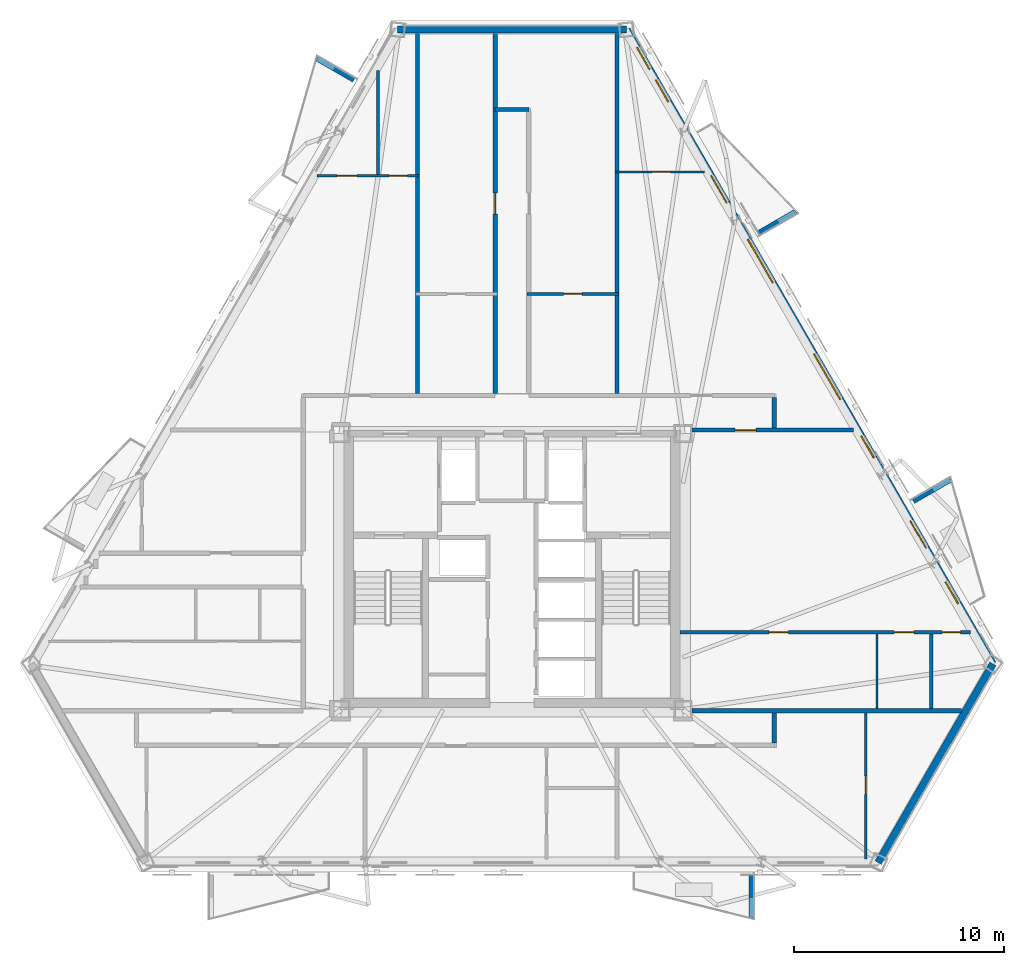
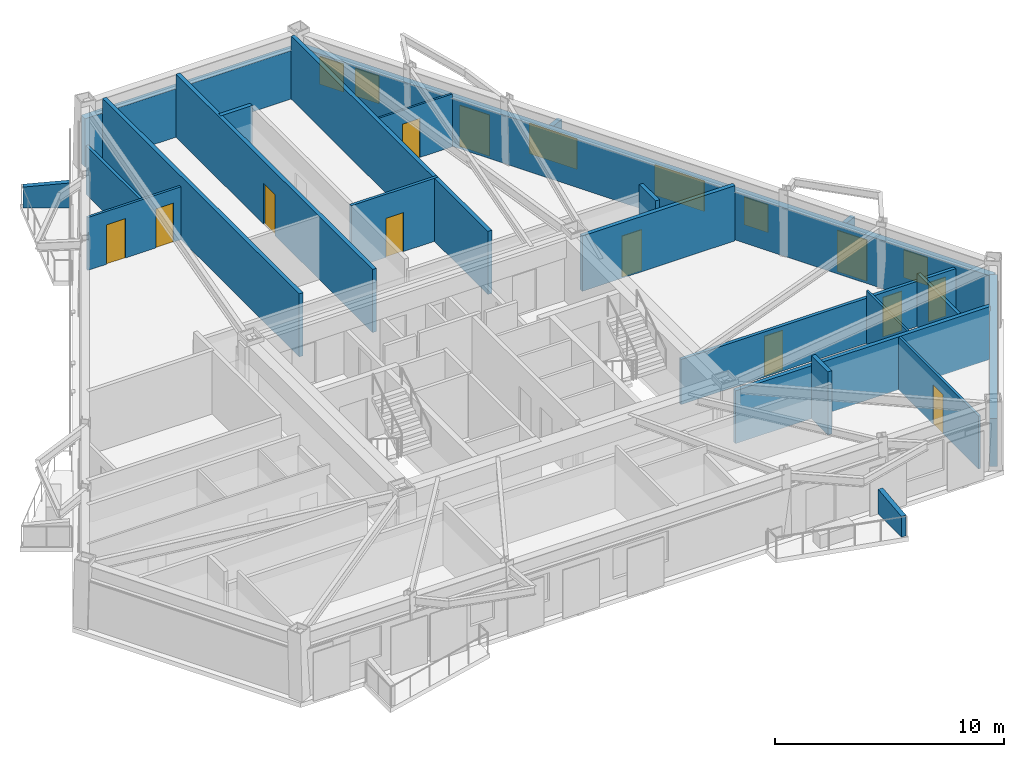
# One storey, part 5 of 9: 23 walls, 12 doors, 6 windows, 18 openings.
"""IFC4 building model written with IfcOpenShell, lengths in metres."""

from ifc_helpers import new_model, si_unit, direction, frame, frame_2d, origin, place, context, subcontext, project, spatial, polyline, rectangle, outline, extrude, material, layer, layer_set, type_object, element, fill, save


model = new_model("IFC4")

# Units and contexts
model_context = context("Model", 3, precision=1e-05, world=origin(), true_north=direction((0.0, 1.0)))
body_context = subcontext(model_context, "Body", "Model", "MODEL_VIEW")
ifc_project = project(units=[si_unit("LENGTHUNIT", "METRE"), si_unit("AREAUNIT", "SQUARE_METRE"), si_unit("VOLUMEUNIT", "CUBIC_METRE"), si_unit("PLANEANGLEUNIT", "RADIAN"), si_unit("MASSUNIT", "GRAM", prefix="KILO")], contexts=[model_context])

# Site, building, storey
site_placement = place(None, origin())
site = spatial("IfcSite", under=ifc_project, at=site_placement, CompositionType="ELEMENT")
building_placement = place(site_placement, origin())
building = spatial("IfcBuilding", under=site, at=building_placement, Name="Oramaril Tower", CompositionType="ELEMENT")
storey_placement = place(building_placement, frame((0.0, 0.0, 119.39990234375)))
storey = spatial("IfcBuildingStorey", under=building, at=storey_placement, Name="L31", CompositionType="ELEMENT", Elevation=119.39990234375)

# Wall
ifc_material_1 = material(Name="Warm Cream Limestone", Category="masonry")
ifc_layer_1 = layer(ifc_material_1, 0.340087890625)
ifc_layer_set_1 = layer_set([ifc_layer_1], Name="WT-EXT34")
wall_type_1 = type_object("IfcWallType", Name="WT-EXT34", PredefinedType="SOLIDWALL", material=ifc_layer_set_1)
wall_1_placement = place(storey_placement, frame((54.95068359375, 3.712890625, 0.0), z_axis=(0.0, 0.0, 1.0), x_axis=(0.49998922304, 0.866031625776, 0.0)))
element("IfcWall", 1, at=wall_1_placement, inside=storey, type_object=wall_type_1, Name="L31 Tower Limestone Facade Wall 3M", PredefinedType="SOLIDWALL", context=body_context, shape_type="SweptSolid", body=[
    extrude(rectangle(XDim=10.932373046875, YDim=0.340087890625, at=frame_2d((5.46630859375, 0.0))), origin(), (0.0, 0.0, 1.0), 2.578125),
])

# Wall, openings, doors, windows
wall_2_placement = place(storey_placement, frame((60.416748046875, 13.1806640625, 0.0), z_axis=(0.0, 0.0, 1.0), x_axis=(-0.499998569178, 0.866026229868, 0.0)))
wall_2 = element("IfcWall", 2, at=wall_2_placement, inside=storey, type_object=wall_type_1, Name="L31 Tower Limestone Facade Wall 4M", PredefinedType="SOLIDWALL", context=body_context, shape_type="SweptSolid", body=[
    extrude(rectangle(XDim=34.9013671875, YDim=0.340087890625, at=frame_2d((17.45068359375, 0.0))), origin(), (0.0, 0.0, 1.0), 2.578125),
])
opening_1_placement = place(wall_2_placement, frame((6.369384765625, 0.0, 0.0)))
opening_1 = element("IfcOpeningElement", 3, at=opening_1_placement, cuts=wall_2, Name="Opening D-L31-BAL-NE1", PredefinedType="OPENING", context=body_context, shape_type="SweptSolid", body=[
    extrude(rectangle(XDim=1.5, YDim=2.199951171875, at=frame_2d((0.75, 1.10009765625))), frame((0.0, 0.169921875, 0.0), z_axis=(0.0, -1.0, 0.0), x_axis=(1.0, 0.0, 0.0)), (0.0, 0.0, 1.0), 0.340087890625),
])
opening_2_placement = place(wall_2_placement, frame((25.366943359375, 0.0, 0.0)))
opening_2 = element("IfcOpeningElement", 4, at=opening_2_placement, cuts=wall_2, Name="Opening D-L31-BAL-NE2", PredefinedType="OPENING", context=body_context, shape_type="SweptSolid", body=[
    extrude(rectangle(XDim=1.5, YDim=2.199951171875, at=frame_2d((0.75, 1.10009765625))), frame((0.0, 0.169921875, 0.0), z_axis=(0.0, -1.0, 0.0), x_axis=(1.0, 0.0, 0.0)), (0.0, 0.0, 1.0), 0.340087890625),
])
opening_3_placement = place(wall_2_placement, frame((3.309326171875, 0.0, 0.85009765625)))
opening_3 = element("IfcOpeningElement", 5, at=opening_3_placement, cuts=wall_2, Name="Opening WN-09", PredefinedType="OPENING", context=body_context, shape_type="SweptSolid", body=[
    extrude(rectangle(XDim=1.199951171875, YDim=1.47998046875, at=frame_2d((0.60009765625, 0.739990234375))), frame((0.0, 0.169921875, 0.0), z_axis=(0.0, -1.0, 0.0), x_axis=(1.0, 0.0, 0.0)), (0.0, 0.0, 1.0), 0.340087890625),
])
opening_4_placement = place(wall_2_placement, frame((11.345947265625, 0.0, 0.85009765625)))
opening_4 = element("IfcOpeningElement", 6, at=opening_4_placement, cuts=wall_2, Name="Opening WN-09", PredefinedType="OPENING", context=body_context, shape_type="SweptSolid", body=[
    extrude(rectangle(XDim=1.199951171875, YDim=1.47998046875, at=frame_2d((0.60009765625, 0.739990234375))), frame((0.0, 0.169921875, 0.0), z_axis=(0.0, -1.0, 0.0), x_axis=(1.0, 0.0, 0.0)), (0.0, 0.0, 1.0), 0.340087890625),
])
opening_5_placement = place(wall_2_placement, frame((32.71875, 0.0, 0.85009765625)))
opening_5 = element("IfcOpeningElement", 7, at=opening_5_placement, cuts=wall_2, Name="Opening WN-09", PredefinedType="OPENING", context=body_context, shape_type="SweptSolid", body=[
    extrude(rectangle(XDim=1.199951171875, YDim=1.47998046875, at=frame_2d((0.60009765625, 0.739990234375))), frame((0.0, 0.169921875, 0.0), z_axis=(0.0, -1.0, 0.0), x_axis=(1.0, 0.0, 0.0)), (0.0, 0.0, 1.0), 0.340087890625),
])
opening_6_placement = place(wall_2_placement, frame((14.54931640625, 0.0, 0.85009765625)))
opening_6 = element("IfcOpeningElement", 8, at=opening_6_placement, cuts=wall_2, Name="Opening WN-11", PredefinedType="OPENING", context=body_context, shape_type="SweptSolid", body=[
    extrude(rectangle(XDim=2.5, YDim=1.617919921875, at=frame_2d((1.25, 0.80908203125))), frame((0.0, 0.169921875, 0.0), z_axis=(0.0, -1.0, 0.0), x_axis=(1.0, 0.0, 0.0)), (0.0, 0.0, 1.0), 0.340087890625),
])
opening_7_placement = place(wall_2_placement, frame((20.966552734375, 0.0, 0.85009765625)))
opening_7 = element("IfcOpeningElement", 9, at=opening_7_placement, cuts=wall_2, Name="Opening WN-03", PredefinedType="OPENING", context=body_context, shape_type="SweptSolid", body=[
    extrude(rectangle(XDim=2.39990234375, YDim=1.617919921875, at=frame_2d((1.199951171875, 0.80908203125))), frame((0.0, 0.169921875, 0.0), z_axis=(0.0, -1.0, 0.0), x_axis=(1.0, 0.0, 0.0)), (0.0, 0.0, 1.0), 0.340087890625),
])
opening_8_placement = place(wall_2_placement, frame((30.926513671875, 0.0, 0.85009765625)))
opening_8 = element("IfcOpeningElement", 10, at=opening_8_placement, cuts=wall_2, Name="Opening WN-09", PredefinedType="OPENING", context=body_context, shape_type="SweptSolid", body=[
    extrude(rectangle(XDim=1.199951171875, YDim=1.47998046875, at=frame_2d((0.60009765625, 0.739990234375))), frame((0.0, 0.169921875, 0.0), z_axis=(0.0, -1.0, 0.0), x_axis=(1.0, 0.0, 0.0)), (0.0, 0.0, 1.0), 0.340087890625),
])
ifc_material_2 = material(Name="Anodised Aluminium 6063-T6", Category="aluminium")
door_type_1 = type_object("IfcDoorType", Name="DT-BAL", OperationType="NOTDEFINED", PredefinedType="DOOR", material=ifc_material_2)
door_1_placement = place(opening_1_placement, origin())
door_1 = element("IfcDoor", 11, at=door_1_placement, inside=storey, type_object=door_type_1, Name="L31 Balcony Glazed Door L31-BAL-NE1", OperationType="SINGLE_SWING_RIGHT", OverallHeight=2.199951171875, OverallWidth=1.5, PredefinedType="DOOR", context=body_context, shape_type="SweptSolid", body=[
    extrude(rectangle(XDim=1.5, YDim=2.199951171875, at=frame_2d((0.75, 1.10009765625))), frame((0.0, 0.02490234375, 0.0), z_axis=(0.0, -1.0, 0.0), x_axis=(1.0, 0.0, 0.0)), (0.0, 0.0, 1.0), 0.050048828125),
])
fill(opening_1, door_1)
door_2_placement = place(opening_2_placement, origin())
door_2 = element("IfcDoor", 12, at=door_2_placement, inside=storey, type_object=door_type_1, Name="L31 Balcony Glazed Door L31-BAL-NE2", OperationType="SINGLE_SWING_LEFT", OverallHeight=2.199951171875, OverallWidth=1.5, PredefinedType="DOOR", context=body_context, shape_type="SweptSolid", body=[
    extrude(rectangle(XDim=1.5, YDim=2.199951171875, at=frame_2d((0.75, 1.10009765625))), frame((0.0, 0.02490234375, 0.0), z_axis=(0.0, -1.0, 0.0), x_axis=(1.0, 0.0, 0.0)), (0.0, 0.0, 1.0), 0.050048828125),
])
fill(opening_2, door_2)
ifc_material_3 = material(Name="Coastal Low-E Insulated Glass", Category="glass")
window_type_1 = type_object("IfcWindowType", Name="WNT-03", PartitioningType="SINGLE_PANEL", PredefinedType="WINDOW", material=ifc_material_3)
window_1_placement = place(opening_7_placement, origin())
window_1 = element("IfcWindow", 13, at=window_1_placement, inside=storey, type_object=window_type_1, Name="L31 Chicago Bay Window WN-03", OverallHeight=1.617919921875, OverallWidth=2.39990234375, PartitioningType="SINGLE_PANEL", PredefinedType="WINDOW", context=body_context, shape_type="SweptSolid", body=[
    extrude(rectangle(XDim=2.39990234375, YDim=1.617919921875, at=frame_2d((1.199951171875, 0.80908203125))), frame((0.0, 0.030029296875, 0.0), z_axis=(0.0, -1.0, 0.0), x_axis=(1.0, 0.0, 0.0)), (0.0, 0.0, 1.0), 0.06005859375),
])
fill(opening_7, window_1)
ifc_material_4 = material(Name="Coastal Low-E Insulated Glass", Category="glass")
window_type_2 = type_object("IfcWindowType", Name="WNT-09", PartitioningType="SINGLE_PANEL", PredefinedType="WINDOW", material=ifc_material_4)
window_2_placement = place(opening_3_placement, origin())
window_2 = element("IfcWindow", 14, at=window_2_placement, inside=storey, type_object=window_type_2, Name="L31 Chicago Bay Window WN-09", OverallHeight=1.47998046875, OverallWidth=1.199951171875, PartitioningType="SINGLE_PANEL", PredefinedType="WINDOW", context=body_context, shape_type="SweptSolid", body=[
    extrude(rectangle(XDim=1.199951171875, YDim=1.47998046875, at=frame_2d((0.60009765625, 0.739990234375))), frame((0.0, 0.030029296875, 0.0), z_axis=(0.0, -1.0, 0.0), x_axis=(1.0, 0.0, 0.0)), (0.0, 0.0, 1.0), 0.06005859375),
])
fill(opening_3, window_2)
window_3_placement = place(opening_4_placement, origin())
window_3 = element("IfcWindow", 15, at=window_3_placement, inside=storey, type_object=window_type_2, Name="L31 Chicago Bay Window WN-09", OverallHeight=1.47998046875, OverallWidth=1.199951171875, PartitioningType="SINGLE_PANEL", PredefinedType="WINDOW", context=body_context, shape_type="SweptSolid", body=[
    extrude(rectangle(XDim=1.199951171875, YDim=1.47998046875, at=frame_2d((0.60009765625, 0.739990234375))), frame((0.0, 0.030029296875, 0.0), z_axis=(0.0, -1.0, 0.0), x_axis=(1.0, 0.0, 0.0)), (0.0, 0.0, 1.0), 0.06005859375),
])
fill(opening_4, window_3)
window_4_placement = place(opening_5_placement, origin())
window_4 = element("IfcWindow", 16, at=window_4_placement, inside=storey, type_object=window_type_2, Name="L31 Chicago Bay Window WN-09", OverallHeight=1.47998046875, OverallWidth=1.199951171875, PartitioningType="SINGLE_PANEL", PredefinedType="WINDOW", context=body_context, shape_type="SweptSolid", body=[
    extrude(rectangle(XDim=1.199951171875, YDim=1.47998046875, at=frame_2d((0.60009765625, 0.739990234375))), frame((0.0, 0.030029296875, 0.0), z_axis=(0.0, -1.0, 0.0), x_axis=(1.0, 0.0, 0.0)), (0.0, 0.0, 1.0), 0.06005859375),
])
fill(opening_5, window_4)
window_5_placement = place(opening_8_placement, origin())
window_5 = element("IfcWindow", 17, at=window_5_placement, inside=storey, type_object=window_type_2, Name="L31 Chicago Bay Window WN-09", OverallHeight=1.47998046875, OverallWidth=1.199951171875, PartitioningType="SINGLE_PANEL", PredefinedType="WINDOW", context=body_context, shape_type="SweptSolid", body=[
    extrude(rectangle(XDim=1.199951171875, YDim=1.47998046875, at=frame_2d((0.60009765625, 0.739990234375))), frame((0.0, 0.030029296875, 0.0), z_axis=(0.0, -1.0, 0.0), x_axis=(1.0, 0.0, 0.0)), (0.0, 0.0, 1.0), 0.06005859375),
])
fill(opening_8, window_5)
ifc_material_5 = material(Name="Coastal Low-E Insulated Glass", Category="glass")
window_type_3 = type_object("IfcWindowType", Name="WNT-11", PartitioningType="SINGLE_PANEL", PredefinedType="WINDOW", material=ifc_material_5)
window_6_placement = place(opening_6_placement, origin())
window_6 = element("IfcWindow", 18, at=window_6_placement, inside=storey, type_object=window_type_3, Name="L31 Chicago Bay Window WN-11", OverallHeight=1.617919921875, OverallWidth=2.5, PartitioningType="SINGLE_PANEL", PredefinedType="WINDOW", context=body_context, shape_type="SweptSolid", body=[
    extrude(rectangle(XDim=2.5, YDim=1.617919921875, at=frame_2d((1.25, 0.80908203125))), frame((0.0, 0.030029296875, 0.0), z_axis=(0.0, -1.0, 0.0), x_axis=(1.0, 0.0, 0.0)), (0.0, 0.0, 1.0), 0.06005859375),
])
fill(opening_6, window_6)

# Walls
wall_3_placement = place(storey_placement, frame((42.966064453125, 43.40625, 0.0), z_axis=(0.0, 0.0, 1.0), x_axis=(-1.0, 0.0, 0.0)))
element("IfcWall", 19, at=wall_3_placement, inside=storey, type_object=wall_type_1, Name="L31 Tower Limestone Facade Wall 5M", PredefinedType="SOLIDWALL", context=body_context, shape_type="SweptSolid", body=[
    extrude(rectangle(XDim=10.93212890625, YDim=0.340087890625, at=frame_2d((5.466064453125, 0.0))), origin(), (0.0, 0.0, 1.0), 2.578125),
])
ifc_material_6 = material(Name="Concrete C40/50", Category="concrete")
ifc_layer_2 = layer(ifc_material_6, 0.22998046875)
ifc_layer_set_2 = layer_set([ifc_layer_2], Name="WT-PRP23")
wall_type_2 = type_object("IfcWallType", Name="WT-PRP23", PredefinedType="PARAPET", material=ifc_layer_set_2)
for number, where, z_axis, x_axis, name in (
    (20, (48.911376953125, 3.114990234375, 0.0), (0.0, 0.0, 1.0), (0.0, -1.0, 0.0), "L31 Trapezoidal Balcony Frame Cheek L31-BAL-S2-R"),
    (21, (56.632568359375, 20.931396484375, 0.0), (0.0, 0.0, 1.0), (0.866012356593, 0.500022597718, 0.0), "L31 Trapezoidal Balcony Frame Cheek L31-BAL-NE1-R"),
    (22, (49.248779296875, 33.720458984375, 0.0), (0.0, 0.0, 1.0), (0.866012356593, 0.500022597718, 0.0), "L31 Trapezoidal Balcony Frame Cheek L31-BAL-NE2-L"),
    (23, (29.958740234375, 41.008056640625, 0.0), (0.0, 0.0, 1.0), (-0.866012356593, 0.500022597718, 0.0), "L31 Trapezoidal Balcony Frame Cheek L31-BAL-NW1-L"),
):
    element("IfcWall", number, at=place(storey_placement, frame(where, z_axis=z_axis, x_axis=x_axis)), inside=storey, type_object=wall_type_2, Name=name, PredefinedType="PARAPET", context=body_context, shape_type="SweptSolid", body=[
        extrude(outline(polyline([(0.0, 0.0), (2.0419921875, 0.0), (2.0419921875, 1.10009765625), (0.0, 1.320068359375), (0.0, 0.0)])), frame((0.0, 0.114990234375, 0.0), z_axis=(0.0, -1.0, 0.0), x_axis=(1.0, 0.0, 0.0)), (0.0, 0.0, 1.0), 0.22998046875),
    ])

# Wall, opening, door
ifc_material_7 = material(Name="Acoustic Gypsum Board Partition")
ifc_layer_3 = layer(ifc_material_7, 0.10009765625)
ifc_layer_set_3 = layer_set([ifc_layer_3], Name="WT-PT10")
wall_type_3 = type_object("IfcWallType", Name="WT-PT10", PredefinedType="PARTITIONING", material=ifc_layer_set_3)
wall_4_placement = place(storey_placement, frame((42.41796875, 36.6298828125, 0.0), z_axis=(0.0, 0.0, 1.0), x_axis=(1.0, 0.0, 0.0)))
wall_4 = element("IfcWall", 24, at=wall_4_placement, inside=storey, type_object=wall_type_3, Name="L31 Interior Partition PT-10", PredefinedType="PARTITIONING", context=body_context, shape_type="SweptSolid", body=[
    extrude(rectangle(XDim=4.259521484375, YDim=0.10009765625, at=frame_2d((2.1298828125, 0.0))), origin(), (0.0, 0.0, 1.0), 2.814208984375),
])
opening_9_placement = place(wall_4_placement, frame((1.74560546875, 0.0, 0.0)))
opening_9 = element("IfcOpeningElement", 25, at=opening_9_placement, cuts=wall_4, Name="Opening D-L31-19", PredefinedType="OPENING", context=body_context, shape_type="SweptSolid", body=[
    extrude(rectangle(XDim=0.8798828125, YDim=2.080078125, at=frame_2d((0.43994140625, 1.0400390625))), frame((0.0, 0.050048828125, 0.0), z_axis=(0.0, -1.0, 0.0), x_axis=(1.0, 0.0, 0.0)), (0.0, 0.0, 1.0), 0.10009765625),
])
ifc_material_8 = material(Name="FSC Brazilian Freijo Hardwood", Category="wood")
door_type_2 = type_object("IfcDoorType", Name="DT-BATH", OperationType="NOTDEFINED", PredefinedType="DOOR", material=ifc_material_8)
door_3_placement = place(opening_9_placement, origin())
door_3 = element("IfcDoor", 26, at=door_3_placement, inside=storey, type_object=door_type_2, Name="L31 Flat L31-U10 Bathroom Door D-L31-19", OperationType="SINGLE_SWING_LEFT", OverallHeight=2.080078125, OverallWidth=0.8798828125, PredefinedType="DOOR", context=body_context, shape_type="SweptSolid", body=[
    extrude(rectangle(XDim=0.8798828125, YDim=2.080078125, at=frame_2d((0.43994140625, 1.0400390625))), frame((0.0, 0.02490234375, 0.0), z_axis=(0.0, -1.0, 0.0), x_axis=(1.0, 0.0, 0.0)), (0.0, 0.0, 1.0), 0.050048828125),
])
fill(opening_9, door_3)

# Wall
wall_5_placement = place(storey_placement, frame((54.889892578125, 11.053955078125, 0.0), z_axis=(0.0, 0.0, 1.0), x_axis=(0.0, 1.0, 0.0)))
element("IfcWall", 27, at=wall_5_placement, inside=storey, type_object=wall_type_3, Name="L31 Interior Partition PT-10", PredefinedType="PARTITIONING", context=body_context, shape_type="SweptSolid", body=[
    extrude(rectangle(XDim=3.552001953125, YDim=0.10009765625, at=frame_2d((1.77587890625, 0.0))), origin(), (0.0, 0.0, 1.0), 2.814208984375),
])

# Wall, openings, doors
ifc_material_9 = material(Name="Acoustic Gypsum Board Partition")
ifc_layer_4 = layer(ifc_material_9, 0.1201171875)
ifc_layer_set_4 = layer_set([ifc_layer_4], Name="WT-PT12")
wall_type_4 = type_object("IfcWallType", Name="WT-PT12", PredefinedType="PARTITIONING", material=ifc_layer_set_4)
wall_6_placement = place(storey_placement, frame((28.212890625, 36.43994140625, 0.0), z_axis=(0.0, 0.0, 1.0), x_axis=(1.0, 0.0, 0.0)))
wall_6 = element("IfcWall", 28, at=wall_6_placement, inside=storey, type_object=wall_type_4, Name="L31 Interior Partition PT-12", PredefinedType="PARTITIONING", context=body_context, shape_type="SweptSolid", body=[
    extrude(rectangle(XDim=4.837158203125, YDim=0.1201171875, at=frame_2d((2.41845703125, 0.0))), origin(), (0.0, 0.0, 1.0), 2.814208984375),
])
opening_10_placement = place(wall_6_placement, frame((0.944580078125, 0.0, 0.0)))
opening_10 = element("IfcOpeningElement", 29, at=opening_10_placement, cuts=wall_6, Name="Opening D-L31-17", PredefinedType="OPENING", context=body_context, shape_type="SweptSolid", body=[
    extrude(rectangle(XDim=0.949951171875, YDim=2.10009765625, at=frame_2d((0.47509765625, 1.050048828125))), frame((0.0, 0.06005859375, 0.0), z_axis=(0.0, -1.0, 0.0), x_axis=(1.0, 0.0, 0.0)), (0.0, 0.0, 1.0), 0.1201171875),
])
opening_11_placement = place(wall_6_placement, frame((3.4169921875, 0.0, 0.0)))
opening_11 = element("IfcOpeningElement", 30, at=opening_11_placement, cuts=wall_6, Name="Opening D-L31-18", PredefinedType="OPENING", context=body_context, shape_type="SweptSolid", body=[
    extrude(rectangle(XDim=0.8798828125, YDim=2.080078125, at=frame_2d((0.43994140625, 1.0400390625))), frame((0.0, 0.06005859375, 0.0), z_axis=(0.0, -1.0, 0.0), x_axis=(1.0, 0.0, 0.0)), (0.0, 0.0, 1.0), 0.1201171875),
])
door_4_placement = place(opening_11_placement, origin())
door_4 = element("IfcDoor", 31, at=door_4_placement, inside=storey, type_object=door_type_2, Name="L31 Flat L31-U7 Bathroom Door D-L31-18", OperationType="SINGLE_SWING_RIGHT", OverallHeight=2.080078125, OverallWidth=0.8798828125, PredefinedType="DOOR", context=body_context, shape_type="SweptSolid", body=[
    extrude(rectangle(XDim=0.8798828125, YDim=2.080078125, at=frame_2d((0.43994140625, 1.0400390625))), frame((0.0, 0.02490234375, 0.0), z_axis=(0.0, -1.0, 0.0), x_axis=(1.0, 0.0, 0.0)), (0.0, 0.0, 1.0), 0.050048828125),
])
fill(opening_11, door_4)
ifc_material_10 = material(Name="FSC Brazilian Freijo Hardwood", Category="wood")
door_type_3 = type_object("IfcDoorType", Name="DT-STDY", OperationType="NOTDEFINED", PredefinedType="DOOR", material=ifc_material_10)
door_5_placement = place(opening_10_placement, origin())
door_5 = element("IfcDoor", 32, at=door_5_placement, inside=storey, type_object=door_type_3, Name="L31 Flat L31-U7 Kitchen Door D-L31-17", OperationType="SINGLE_SWING_LEFT", OverallHeight=2.10009765625, OverallWidth=0.949951171875, PredefinedType="DOOR", context=body_context, shape_type="SweptSolid", body=[
    extrude(rectangle(XDim=0.949951171875, YDim=2.10009765625, at=frame_2d((0.47509765625, 1.050048828125))), frame((0.0, 0.02490234375, 0.0), z_axis=(0.0, -1.0, 0.0), x_axis=(1.0, 0.0, 0.0)), (0.0, 0.0, 1.0), 0.050048828125),
])
fill(opening_10, door_5)

# Wall, opening, door
wall_7_placement = place(storey_placement, frame((54.35009765625, 3.886962890625, 0.0), z_axis=(0.0, 0.0, 1.0), x_axis=(0.0, 1.0, 0.0)))
wall_7 = element("IfcWall", 33, at=wall_7_placement, inside=storey, type_object=wall_type_4, Name="L31 Interior Partition PT-12", PredefinedType="PARTITIONING", context=body_context, shape_type="SweptSolid", body=[
    extrude(rectangle(XDim=6.958984375, YDim=0.1201171875, at=frame_2d((3.4794921875, 0.0))), origin(), (0.0, 0.0, 1.0), 2.814208984375),
])
opening_12_placement = place(wall_7_placement, frame((3.07958984375, 0.0, 0.0)))
opening_12 = element("IfcOpeningElement", 34, at=opening_12_placement, cuts=wall_7, Name="Opening D-L31-26", PredefinedType="OPENING", context=body_context, shape_type="SweptSolid", body=[
    extrude(rectangle(XDim=0.8798828125, YDim=2.080078125, at=frame_2d((0.43994140625, 1.0400390625))), frame((0.0, 0.06005859375, 0.0), z_axis=(0.0, -1.0, 0.0), x_axis=(1.0, 0.0, 0.0)), (0.0, 0.0, 1.0), 0.1201171875),
])
door_6_placement = place(opening_12_placement, origin())
door_6 = element("IfcDoor", 35, at=door_6_placement, inside=storey, type_object=door_type_2, Name="L31 Flat L31-U3 Bathroom Door D-L31-26", OperationType="SINGLE_SWING_RIGHT", OverallHeight=2.080078125, OverallWidth=0.8798828125, PredefinedType="DOOR", context=body_context, shape_type="SweptSolid", body=[
    extrude(rectangle(XDim=0.8798828125, YDim=2.080078125, at=frame_2d((0.43994140625, 1.0400390625))), frame((0.0, 0.02490234375, 0.0), z_axis=(0.0, -1.0, 0.0), x_axis=(1.0, 0.0, 0.0)), (0.0, 0.0, 1.0), 0.050048828125),
])
fill(opening_12, door_6)

ifc_material_11 = material(Name="Acoustic Gypsum Board Partition")
ifc_layer_5 = layer(ifc_material_11, 0.139892578125)
ifc_layer_set_5 = layer_set([ifc_layer_5], Name="WT-PT14")
wall_type_5 = type_object("IfcWallType", Name="WT-PT14", PredefinedType="PARTITIONING", material=ifc_layer_set_5)
wall_8_placement = place(storey_placement, frame((38.218017578125, 30.81005859375, 0.0), z_axis=(0.0, 0.0, 1.0), x_axis=(1.0, 0.0, 0.0)))
wall_8 = element("IfcWall", 36, at=wall_8_placement, inside=storey, type_object=wall_type_5, Name="L31 Interior Partition PT-14", PredefinedType="PARTITIONING", context=body_context, shape_type="SweptSolid", body=[
    extrude(rectangle(XDim=4.364013671875, YDim=0.139892578125, at=frame_2d((2.18212890625, 0.0))), origin(), (0.0, 0.0, 1.0), 3.360107421875),
])
opening_13_placement = place(wall_8_placement, frame((1.741943359375, 0.0, 0.0)))
opening_13 = element("IfcOpeningElement", 37, at=opening_13_placement, cuts=wall_8, Name="Opening D-L31-16", PredefinedType="OPENING", context=body_context, shape_type="SweptSolid", body=[
    extrude(rectangle(XDim=0.8798828125, YDim=2.080078125, at=frame_2d((0.43994140625, 1.0400390625))), frame((0.0, 0.06982421875, 0.0), z_axis=(0.0, -1.0, 0.0), x_axis=(1.0, 0.0, 0.0)), (0.0, 0.0, 1.0), 0.139892578125),
])
door_7_placement = place(opening_13_placement, origin())
door_7 = element("IfcDoor", 38, at=door_7_placement, inside=storey, type_object=door_type_2, Name="L31 Flat L31-U9 Bathroom Door D-L31-16", OperationType="SINGLE_SWING_RIGHT", OverallHeight=2.080078125, OverallWidth=0.8798828125, PredefinedType="DOOR", context=body_context, shape_type="SweptSolid", body=[
    extrude(rectangle(XDim=0.8798828125, YDim=2.080078125, at=frame_2d((0.43994140625, 1.0400390625))), frame((0.0, 0.02490234375, 0.0), z_axis=(0.0, -1.0, 0.0), x_axis=(1.0, 0.0, 0.0)), (0.0, 0.0, 1.0), 0.050048828125),
])
fill(opening_13, door_7)

# Wall
wall_9_placement = place(storey_placement, frame((31.110107421875, 36.50390625, 0.0), z_axis=(0.0, 0.0, 1.0), x_axis=(0.0, 1.0, 0.0)))
element("IfcWall", 39, at=wall_9_placement, inside=storey, type_object=wall_type_5, Name="L31 Interior Partition PT-14", PredefinedType="PARTITIONING", context=body_context, shape_type="SweptSolid", body=[
    extrude(rectangle(XDim=4.9541015625, YDim=0.139892578125, at=frame_2d((2.47705078125, 0.0))), origin(), (0.0, 0.0, 1.0), 2.578125),
])

# Wall, openings, doors
ifc_material_12 = material(Name="Acoustic Gypsum Board Partition")
ifc_layer_6 = layer(ifc_material_12, 0.159912109375)
ifc_layer_set_6 = layer_set([ifc_layer_6], Name="WT-PT16")
wall_type_6 = type_object("IfcWallType", Name="WT-PT16", PredefinedType="PARTITIONING", material=ifc_layer_set_6)
wall_10_placement = place(storey_placement, frame((45.513916015625, 14.68994140625, 0.0), z_axis=(0.0, 0.0, 1.0), x_axis=(1.0, 0.0, 0.0)))
wall_10 = element("IfcWall", 40, at=wall_10_placement, inside=storey, type_object=wall_type_6, Name="L31 Interior Partition PT-16", PredefinedType="PARTITIONING", context=body_context, shape_type="SweptSolid", body=[
    extrude(rectangle(XDim=13.83056640625, YDim=0.159912109375, at=frame_2d((6.915283203125, 0.0))), origin(), (0.0, 0.0, 1.0), 2.400146484375),
])
opening_14_placement = place(wall_10_placement, frame((4.235107421875, 0.0, 0.0)))
opening_14 = element("IfcOpeningElement", 41, at=opening_14_placement, cuts=wall_10, Name="Opening D-L31-08", PredefinedType="OPENING", context=body_context, shape_type="SweptSolid", body=[
    extrude(rectangle(XDim=0.919921875, YDim=2.1201171875, at=frame_2d((0.4599609375, 1.06005859375))), frame((0.0, 0.080078125, 0.0), z_axis=(0.0, -1.0, 0.0), x_axis=(1.0, 0.0, 0.0)), (0.0, 0.0, 1.0), 0.159912109375),
])
opening_15_placement = place(wall_10_placement, frame((10.1953125, 0.0, 0.0)))
opening_15 = element("IfcOpeningElement", 42, at=opening_15_placement, cuts=wall_10, Name="Opening D-L31-09", PredefinedType="OPENING", context=body_context, shape_type="SweptSolid", body=[
    extrude(rectangle(XDim=0.949951171875, YDim=2.10009765625, at=frame_2d((0.47509765625, 1.050048828125))), frame((0.0, 0.080078125, 0.0), z_axis=(0.0, -1.0, 0.0), x_axis=(1.0, 0.0, 0.0)), (0.0, 0.0, 1.0), 0.159912109375),
])
opening_16_placement = place(wall_10_placement, frame((12.486083984375, 0.0, 0.0)))
opening_16 = element("IfcOpeningElement", 43, at=opening_16_placement, cuts=wall_10, Name="Opening D-L31-10", PredefinedType="OPENING", context=body_context, shape_type="SweptSolid", body=[
    extrude(rectangle(XDim=0.8798828125, YDim=2.080078125, at=frame_2d((0.43994140625, 1.0400390625))), frame((0.0, 0.080078125, 0.0), z_axis=(0.0, -1.0, 0.0), x_axis=(1.0, 0.0, 0.0)), (0.0, 0.0, 1.0), 0.159912109375),
])
door_8_placement = place(opening_16_placement, origin())
door_8 = element("IfcDoor", 44, at=door_8_placement, inside=storey, type_object=door_type_2, Name="L31 Flat L31-U6 Bathroom Door D-L31-10", OperationType="SINGLE_SWING_RIGHT", OverallHeight=2.080078125, OverallWidth=0.8798828125, PredefinedType="DOOR", context=body_context, shape_type="SweptSolid", body=[
    extrude(rectangle(XDim=0.8798828125, YDim=2.080078125, at=frame_2d((0.43994140625, 1.0400390625))), frame((0.0, 0.02490234375, 0.0), z_axis=(0.0, -1.0, 0.0), x_axis=(1.0, 0.0, 0.0)), (0.0, 0.0, 1.0), 0.050048828125),
])
fill(opening_16, door_8)
ifc_material_13 = material(Name="FSC Brazilian Freijo Hardwood", Category="wood")
door_type_4 = type_object("IfcDoorType", Name="DT-BED", OperationType="NOTDEFINED", PredefinedType="DOOR", material=ifc_material_13)
door_9_placement = place(opening_14_placement, origin())
door_9 = element("IfcDoor", 45, at=door_9_placement, inside=storey, type_object=door_type_4, Name="L31 Flat L31-U6 Master Bedroom Door D-L31-08", OperationType="SINGLE_SWING_RIGHT", OverallHeight=2.1201171875, OverallWidth=0.919921875, PredefinedType="DOOR", context=body_context, shape_type="SweptSolid", body=[
    extrude(rectangle(XDim=0.919921875, YDim=2.1201171875, at=frame_2d((0.4599609375, 1.06005859375))), frame((0.0, 0.02490234375, 0.0), z_axis=(0.0, -1.0, 0.0), x_axis=(1.0, 0.0, 0.0)), (0.0, 0.0, 1.0), 0.050048828125),
])
fill(opening_14, door_9)
door_10_placement = place(opening_15_placement, origin())
door_10 = element("IfcDoor", 46, at=door_10_placement, inside=storey, type_object=door_type_3, Name="L31 Flat L31-U6 Kitchen Door D-L31-09", OperationType="SINGLE_SWING_LEFT", OverallHeight=2.10009765625, OverallWidth=0.949951171875, PredefinedType="DOOR", context=body_context, shape_type="SweptSolid", body=[
    extrude(rectangle(XDim=0.949951171875, YDim=2.10009765625, at=frame_2d((0.47509765625, 1.050048828125))), frame((0.0, 0.02490234375, 0.0), z_axis=(0.0, -1.0, 0.0), x_axis=(1.0, 0.0, 0.0)), (0.0, 0.0, 1.0), 0.050048828125),
])
fill(opening_15, door_10)

# Walls
wall_11_placement = place(storey_placement, frame((57.47998046875, 11.053955078125, 0.0), z_axis=(0.0, 0.0, 1.0), x_axis=(0.0, 1.0, 0.0)))
element("IfcWall", 47, at=wall_11_placement, inside=storey, type_object=wall_type_6, Name="L31 Interior Partition PT-16", PredefinedType="PARTITIONING", context=body_context, shape_type="SweptSolid", body=[
    extrude(rectangle(XDim=3.552001953125, YDim=0.159912109375, at=frame_2d((1.77587890625, 0.0))), origin(), (0.0, 0.0, 1.0), 2.814208984375),
])
ifc_material_14 = material(Name="Autoclaved Cellular Concrete Block", Category="concrete")
ifc_layer_7 = layer(ifc_material_14, 0.199951171875)
ifc_layer_set_7 = layer_set([ifc_layer_7], Name="WT-PT20")
wall_type_7 = type_object("IfcWallType", Name="WT-PT20", PredefinedType="PARTITIONING", material=ifc_layer_set_7)
wall_12_placement = place(storey_placement, frame((46.090087890625, 10.949951171875, 0.0), z_axis=(0.0, 0.0, 1.0), x_axis=(1.0, 0.0, 0.0)))
element("IfcWall", 48, at=wall_12_placement, inside=storey, type_object=wall_type_7, Name="L31 Interior Partition PT-20", PredefinedType="PARTITIONING", context=body_context, shape_type="SweptSolid", body=[
    extrude(rectangle(XDim=12.837890625, YDim=0.199951171875, at=frame_2d((6.4189453125, 0.0))), origin(), (0.0, 0.0, 1.0), 2.814208984375),
])

# Wall, opening, door
wall_13_placement = place(storey_placement, frame((46.090087890625, 24.320068359375, 0.0), z_axis=(0.0, 0.0, 1.0), x_axis=(1.0, 0.0, 0.0)))
wall_13 = element("IfcWall", 49, at=wall_13_placement, inside=storey, type_object=wall_type_7, Name="L31 Interior Partition PT-20", PredefinedType="PARTITIONING", context=body_context, shape_type="SweptSolid", body=[
    extrude(rectangle(XDim=7.694580078125, YDim=0.199951171875, at=frame_2d((3.84716796875, 0.0))), origin(), (0.0, 0.0, 1.0), 2.946044921875),
])
opening_17_placement = place(wall_13_placement, frame((2.040771484375, 0.0, 0.0)))
opening_17 = element("IfcOpeningElement", 50, at=opening_17_placement, cuts=wall_13, Name="Opening D-L31-12", PredefinedType="OPENING", context=body_context, shape_type="SweptSolid", body=[
    extrude(rectangle(XDim=1.0, YDim=2.179931640625, at=frame_2d((0.5, 1.08984375))), frame((0.0, 0.10009765625, 0.0), z_axis=(0.0, -1.0, 0.0), x_axis=(1.0, 0.0, 0.0)), (0.0, 0.0, 1.0), 0.199951171875),
])
ifc_material_15 = material(Name="FSC Brazilian Freijo Hardwood", Category="wood")
door_type_5 = type_object("IfcDoorType", Name="DT-APT", OperationType="NOTDEFINED", PredefinedType="DOOR", material=ifc_material_15)
door_11_placement = place(opening_17_placement, origin())
door_11 = element("IfcDoor", 51, at=door_11_placement, inside=storey, type_object=door_type_5, Name="L31 Flat L31-U6 Penthouse Living and Dining Room Door D-L31-12", OperationType="SINGLE_SWING_RIGHT", OverallHeight=2.179931640625, OverallWidth=1.0, PredefinedType="DOOR", context=body_context, shape_type="SweptSolid", body=[
    extrude(rectangle(XDim=1.0, YDim=2.179931640625, at=frame_2d((0.5, 1.08984375))), frame((0.0, 0.02490234375, 0.0), z_axis=(0.0, -1.0, 0.0), x_axis=(1.0, 0.0, 0.0)), (0.0, 0.0, 1.0), 0.050048828125),
])
fill(opening_17, door_11)

# Walls
wall_14_placement = place(storey_placement, frame((36.699951171875, 39.60009765625, 0.0), z_axis=(0.0, 0.0, 1.0), x_axis=(1.0, 0.0, 0.0)))
element("IfcWall", 52, at=wall_14_placement, inside=storey, type_object=wall_type_7, Name="L31 Interior Partition PT-20", PredefinedType="PARTITIONING", context=body_context, shape_type="SweptSolid", body=[
    extrude(rectangle(XDim=1.60009765625, YDim=0.199951171875, at=frame_2d((0.800048828125, 0.0))), origin(), (0.0, 0.0, 1.0), 3.360107421875),
])
wall_15_placement = place(storey_placement, frame((33.0, 26.073974609375, 0.0), z_axis=(0.0, 0.0, 1.0), x_axis=(0.0, 1.0, 0.0)))
element("IfcWall", 53, at=wall_15_placement, inside=storey, type_object=wall_type_7, Name="L31 Interior Partition PT-20", PredefinedType="PARTITIONING", context=body_context, shape_type="SweptSolid", body=[
    extrude(rectangle(XDim=17.158203125, YDim=0.199951171875, at=frame_2d((8.5791015625, 0.0))), origin(), (0.0, 0.0, 1.0), 3.360107421875),
])

# Wall, opening, door
wall_16_placement = place(storey_placement, frame((36.699951171875, 26.073974609375, 0.0), z_axis=(0.0, 0.0, 1.0), x_axis=(0.0, 1.0, 0.0)))
wall_16 = element("IfcWall", 54, at=wall_16_placement, inside=storey, type_object=wall_type_7, Name="L31 Interior Partition PT-20", PredefinedType="PARTITIONING", context=body_context, shape_type="SweptSolid", body=[
    extrude(rectangle(XDim=17.158203125, YDim=0.199951171875, at=frame_2d((8.5791015625, 0.0))), origin(), (0.0, 0.0, 1.0), 3.360107421875),
])
opening_18_placement = place(wall_16_placement, frame((8.535888671875, 0.0, 0.0)))
opening_18 = element("IfcOpeningElement", 55, at=opening_18_placement, cuts=wall_16, Name="Opening D-L31-22", PredefinedType="OPENING", context=body_context, shape_type="SweptSolid", body=[
    extrude(rectangle(XDim=1.0, YDim=2.179931640625, at=frame_2d((0.5, 1.08984375))), frame((0.0, 0.10009765625, 0.0), z_axis=(0.0, -1.0, 0.0), x_axis=(1.0, 0.0, 0.0)), (0.0, 0.0, 1.0), 0.199951171875),
])
door_12_placement = place(opening_18_placement, origin())
door_12 = element("IfcDoor", 56, at=door_12_placement, inside=storey, type_object=door_type_5, Name="L31 Flat L31-U8 Kitchen and Studio Apartment Door D-L31-22", OperationType="SINGLE_SWING_RIGHT", OverallHeight=2.179931640625, OverallWidth=1.0, PredefinedType="DOOR", context=body_context, shape_type="SweptSolid", body=[
    extrude(rectangle(XDim=1.0, YDim=2.179931640625, at=frame_2d((0.5, 1.08984375))), frame((0.0, 0.02490234375, 0.0), z_axis=(0.0, -1.0, 0.0), x_axis=(1.0, 0.0, 0.0)), (0.0, 0.0, 1.0), 0.050048828125),
])
fill(opening_18, door_12)

# Walls
wall_17_placement = place(storey_placement, frame((42.5, 26.073974609375, 0.0), z_axis=(0.0, 0.0, 1.0), x_axis=(0.0, 1.0, 0.0)))
element("IfcWall", 57, at=wall_17_placement, inside=storey, type_object=wall_type_7, Name="L31 Interior Partition PT-20", PredefinedType="PARTITIONING", context=body_context, shape_type="SweptSolid", body=[
    extrude(rectangle(XDim=17.158203125, YDim=0.199951171875, at=frame_2d((8.5791015625, 0.0))), origin(), (0.0, 0.0, 1.0), 3.360107421875),
])
for number, where, z_axis, x_axis, name in (
    (58, (50.0, 9.404052734375, 0.0), (0.0, 0.0, 1.0), (0.0, 1.0, 0.0), "L31 Interior Partition PT-20"),
    (59, (50.0, 24.424072265625, 0.0), (0.0, 0.0, 1.0), (0.0, 1.0, 0.0), "L31 Interior Partition PT-20"),
):
    element("IfcWall", number, at=place(storey_placement, frame(where, z_axis=z_axis, x_axis=x_axis)), inside=storey, type_object=wall_type_7, Name=name, PredefinedType="PARTITIONING", context=body_context, shape_type="SweptSolid", body=[
        extrude(rectangle(XDim=1.44189453125, YDim=0.199951171875, at=frame_2d((0.720947265625, 0.0))), origin(), (0.0, 0.0, 1.0), 3.360107421875),
    ])

save(model, "model.ifc")
